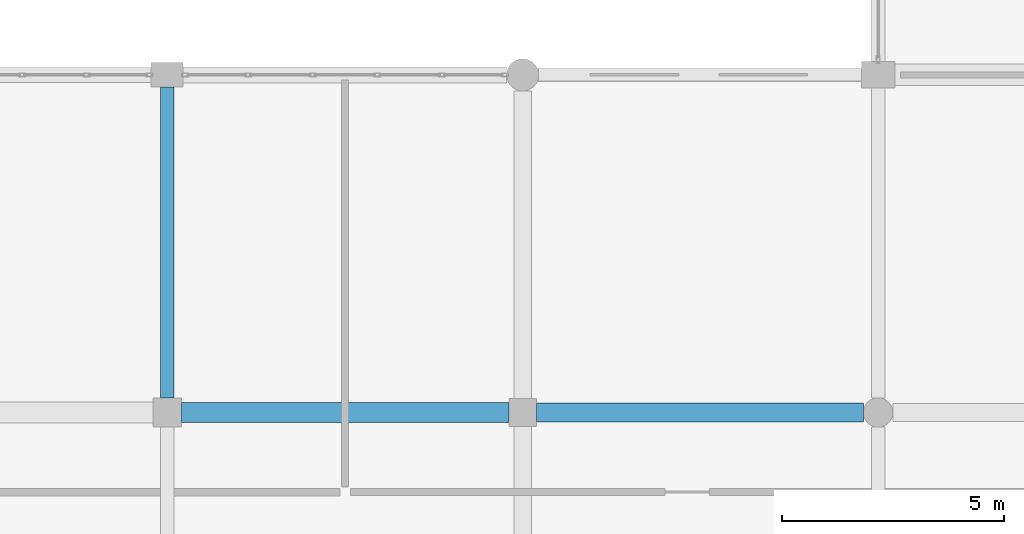
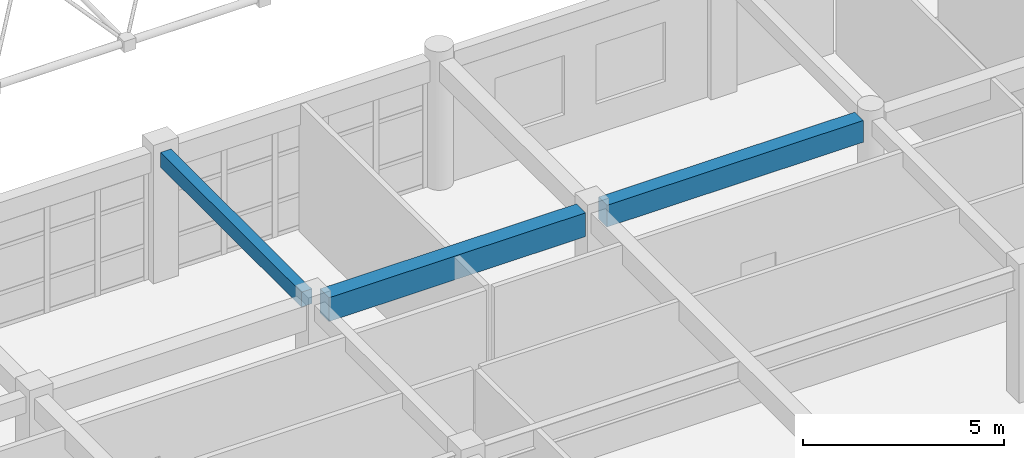
# One storey, part 39 of 195: 3 beams.
"""IFC4 building model written with IfcOpenShell, lengths in metres."""

from ifc_helpers import new_model, si_unit, direction, frame, origin, origin_2d, place, context, subcontext, project, spatial, rectangle, extrude, material, material_profile, profile_set, type_object, element, save


model = new_model("IFC4")

# Units and contexts
model_context = context("Model", 3, precision=1e-05, world=origin(), true_north=direction((0.0, 1.0)))
body_context = subcontext(model_context, "Body", "Model", "MODEL_VIEW")
ifc_project = project(units=[si_unit("LENGTHUNIT", "METRE"), si_unit("AREAUNIT", "SQUARE_METRE"), si_unit("VOLUMEUNIT", "CUBIC_METRE"), si_unit("PLANEANGLEUNIT", "RADIAN"), si_unit("MASSUNIT", "GRAM", prefix="KILO")], contexts=[model_context])

# Site, building, storey
site_placement = place(None, origin())
site = spatial("IfcSite", under=ifc_project, at=site_placement, CompositionType="ELEMENT")
building_placement = place(site_placement, origin())
building = spatial("IfcBuilding", under=site, at=building_placement, Name="Kharva Crest Polytechnic", CompositionType="ELEMENT")
storey_placement = place(building_placement, frame((0.0, 0.0, 9.0)))
storey = spatial("IfcBuildingStorey", under=building, at=storey_placement, Name="L02", CompositionType="ELEMENT", Elevation=9.0)

# Beams
ifc_material = material(Name="Concrete C35/45", Category="concrete")
ifc_material_profile_1 = material_profile(ifc_material, rectangle(XDim=0.300048828125, YDim=0.449951171875, at=origin_2d()), Name="RECT 300 X 450")
ifc_profile_set_1 = profile_set([ifc_material_profile_1], Name="Concrete C35/45")
beam_type_1 = type_object("IfcBeamType", Name="BM-RC-300X450", PredefinedType="BEAM", material=ifc_profile_set_1)
beam_1_placement = place(storey_placement, frame((16.0, 23.125, 3.695068359375), z_axis=(0.0, 1.0, 0.0), x_axis=(-1.0, 0.0, 0.0)))
element("IfcBeam", 1, at=beam_1_placement, inside=storey, type_object=beam_type_1, Name="L02 Girder 3/D-E", PredefinedType="BEAM", context=body_context, shape_type="SweptSolid", body=[
    extrude(rectangle(XDim=0.300048828125, YDim=0.449951171875, at=origin_2d()), origin(), (0.0, 0.0, 1.0), 7.0),
])
ifc_material_profile_2 = material_profile(ifc_material, rectangle(XDim=0.419921875, YDim=0.659912109375, at=origin_2d()), Name="RECT 420 X 660")
ifc_profile_set_2 = profile_set([ifc_material_profile_2], Name="Concrete C35/45")
beam_type_2 = type_object("IfcBeamType", Name="BM-RC-420X660", PredefinedType="BEAM", material=ifc_profile_set_2)
beam_2_placement = place(storey_placement, frame((24.31005859375, 22.800048828125, 3.590087890625), z_axis=(1.0, 0.0, 0.0), x_axis=(0.0, 1.0, 0.0)))
element("IfcBeam", 2, at=beam_2_placement, inside=storey, type_object=beam_type_2, Name="L02 Beam D/4-5", PredefinedType="BEAM", context=body_context, shape_type="SweptSolid", body=[
    extrude(rectangle(XDim=0.419921875, YDim=0.659912109375, at=origin_2d()), origin(), (0.0, 0.0, 1.0), 7.35986328125),
])
ifc_material_profile_3 = material_profile(ifc_material, rectangle(XDim=0.449951171875, YDim=0.719970703125, at=origin_2d()), Name="RECT 450 X 720")
ifc_profile_set_3 = profile_set([ifc_material_profile_3], Name="Concrete C35/45")
beam_type_3 = type_object("IfcBeamType", Name="BM-RC-450X720", PredefinedType="BEAM", material=ifc_profile_set_3)
beam_3_placement = place(storey_placement, frame((16.324951171875, 22.800048828125, 3.56005859375), z_axis=(1.0, 0.0, 0.0), x_axis=(0.0, 1.0, 0.0)))
element("IfcBeam", 3, at=beam_3_placement, inside=storey, type_object=beam_type_3, Name="L02 Beam D/3-4", PredefinedType="BEAM", context=body_context, shape_type="SweptSolid", body=[
    extrude(rectangle(XDim=0.449951171875, YDim=0.719970703125, at=origin_2d()), origin(), (0.0, 0.0, 1.0), 7.364990234375),
])

save(model, "model.ifc")
